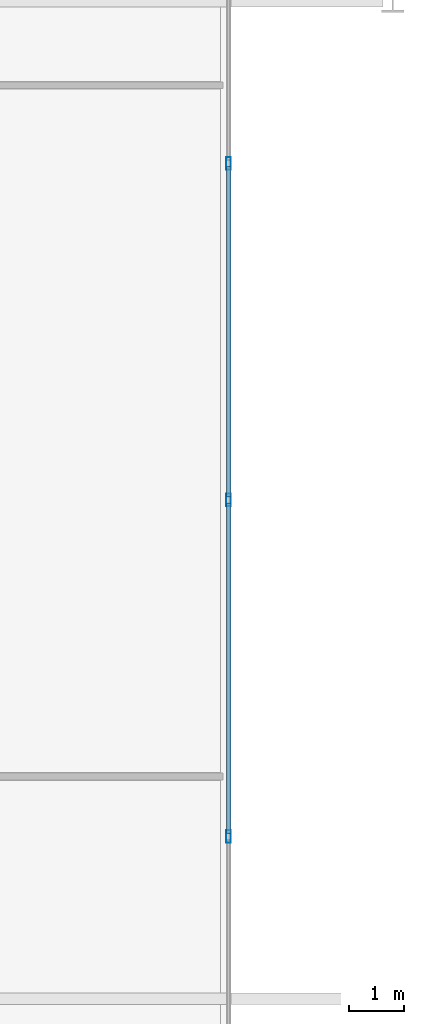
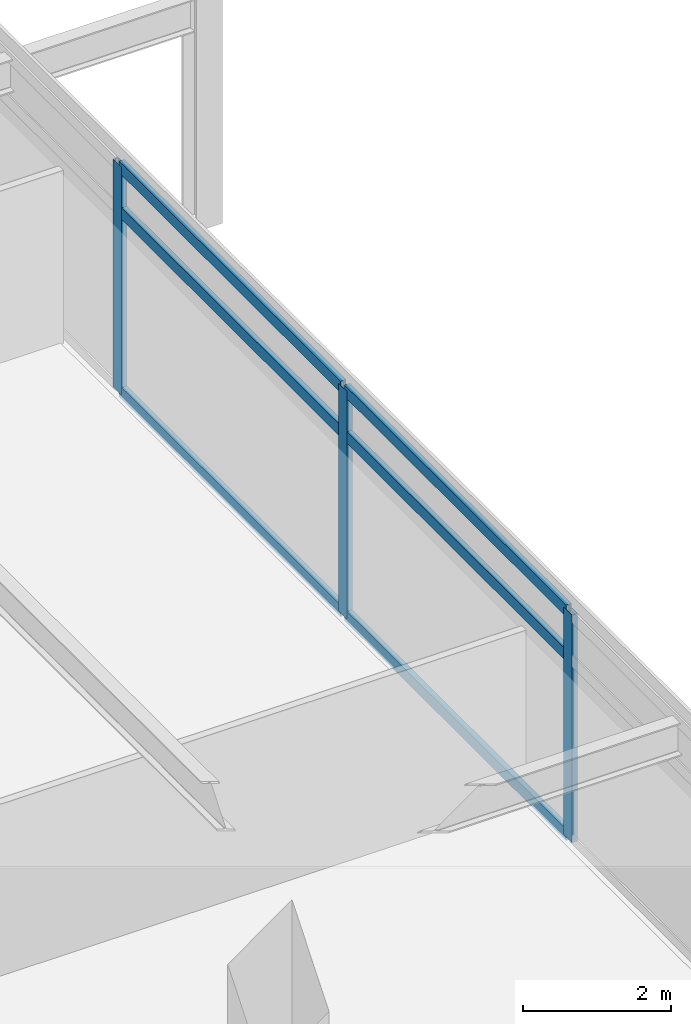
# One storey, part 4 of 21: 9 members, 1 element without a shape of its own.
"""IFC4 building model written with IfcOpenShell, lengths in metres."""

from ifc_helpers import new_model, si_unit, direction, frame, origin, origin_2d, place, context, subcontext, project, spatial, hollow_rectangle, extrude, material, material_profile, profile_set, type_object, element, aggregate, save


model = new_model("IFC4")

# Units and contexts
model_context = context("Model", 3, precision=1e-05, world=origin(), true_north=direction((0.0, 1.0)))
body_context = subcontext(model_context, "Body", "Model", "MODEL_VIEW")
ifc_project = project(units=[si_unit("LENGTHUNIT", "METRE"), si_unit("AREAUNIT", "SQUARE_METRE"), si_unit("VOLUMEUNIT", "CUBIC_METRE"), si_unit("PLANEANGLEUNIT", "RADIAN"), si_unit("MASSUNIT", "GRAM", prefix="KILO")], contexts=[model_context])

# Site, building, storey
site_placement = place(None, origin())
site = spatial("IfcSite", under=ifc_project, at=site_placement, CompositionType="ELEMENT")
building_placement = place(site_placement, origin())
building = spatial("IfcBuilding", under=site, at=building_placement, Name="Kovane Verandah Tower", CompositionType="ELEMENT")
storey_placement = place(building_placement, frame((0.0, 0.0, 314.800048828125)))
storey = spatial("IfcBuildingStorey", under=building, at=storey_placement, Name="L73", CompositionType="ELEMENT", Elevation=314.800048828125)

# Curtain wall, members
ifc_material_1 = material(Name="Champagne Anodised Aluminium Frame with Low-E Clear Laminated Glass", Category="aluminium")
curtain_wall_type = type_object("IfcCurtainWallType", Name="CW-SYS-05-HIGH", PredefinedType="NOTDEFINED", material=ifc_material_1)
curtain_wall_placement = place(storey_placement, origin())
curtain_wall = element("IfcCurtainWall", 1, at=curtain_wall_placement, inside=storey, type_object=curtain_wall_type, Name="L73 E Unitised Curtain Wall", PredefinedType="NOTDEFINED")
ifc_material_2 = material(Name="Champagne Anodised Aluminium 6063-T6", Category="aluminium")
ifc_material_profile_1 = material_profile(ifc_material_2, hollow_rectangle(XDim=0.0849609375, YDim=0.22998046875, WallThickness=0.00390625, at=origin_2d()), Name="AL85x230x4")
ifc_profile_set_1 = profile_set([ifc_material_profile_1], Name="Champagne Anodised Aluminium 6063-T6")
member_type_1 = type_object("IfcMemberType", Name="CW-MUL-85x230", PredefinedType="MULLION", material=ifc_profile_set_1)
member_1_placement = place(storey_placement, frame((64.636474609375, 21.42724609375, 0.02001953125), z_axis=(0.0, 0.0, 1.0), x_axis=(1.0, 0.0, 0.0)))
member_1 = element("IfcMember", 2, at=member_1_placement, type_object=member_type_1, Name="L73 E Unitised Curtain Wall Mullion 3", PredefinedType="MULLION", context=body_context, shape_type="SweptSolid", body=[
    extrude(hollow_rectangle(XDim=0.0849609375, YDim=0.22998046875, WallThickness=0.00390625, at=origin_2d()), origin(), (0.0, 0.0, 1.0), 3.744873046875),
])
member_2_placement = place(storey_placement, frame((64.636474609375, 27.5, 0.02001953125), z_axis=(0.0, 0.0, 1.0), x_axis=(1.0, 0.0, 0.0)))
member_2 = element("IfcMember", 3, at=member_2_placement, type_object=member_type_1, Name="L73 E Unitised Curtain Wall Mullion 4", PredefinedType="MULLION", context=body_context, shape_type="SweptSolid", body=[
    extrude(hollow_rectangle(XDim=0.0849609375, YDim=0.22998046875, WallThickness=0.00390625, at=origin_2d()), origin(), (0.0, 0.0, 1.0), 3.744873046875),
])
member_3_placement = place(storey_placement, frame((64.636474609375, 33.57275390625, 0.02001953125), z_axis=(0.0, 0.0, 1.0), x_axis=(1.0, 0.0, 0.0)))
member_3 = element("IfcMember", 4, at=member_3_placement, type_object=member_type_1, Name="L73 E Unitised Curtain Wall Mullion 5", PredefinedType="MULLION", context=body_context, shape_type="SweptSolid", body=[
    extrude(hollow_rectangle(XDim=0.0849609375, YDim=0.22998046875, WallThickness=0.00390625, at=origin_2d()), origin(), (0.0, 0.0, 1.0), 3.744873046875),
])
ifc_material_profile_2 = material_profile(ifc_material_2, hollow_rectangle(XDim=0.0849609375, YDim=0.18994140625, WallThickness=0.00390625, at=origin_2d()), Name="AL85x190x4")
ifc_profile_set_2 = profile_set([ifc_material_profile_2], Name="Champagne Anodised Aluminium 6063-T6")
member_type_2 = type_object("IfcMemberType", Name="CW-TRN-85x190", PredefinedType="USERDEFINED", material=ifc_profile_set_2)
member_4_placement = place(storey_placement, frame((64.636474609375, 21.477294921875, 0.050048828125), z_axis=(0.0, 1.0, 0.0), x_axis=(-1.0, 0.0, 0.0)))
member_4 = element("IfcMember", 5, at=member_4_placement, type_object=member_type_2, Name="L73 E Unitised Curtain Wall Transom TB Bay 3", ObjectType="TRANSOM", PredefinedType="USERDEFINED", context=body_context, shape_type="SweptSolid", body=[
    extrude(hollow_rectangle(XDim=0.0849609375, YDim=0.18994140625, WallThickness=0.00390625, at=origin_2d()), origin(), (0.0, 0.0, 1.0), 5.97265625),
])
member_5_placement = place(storey_placement, frame((64.636474609375, 21.477294921875, 3.0048828125), z_axis=(0.0, 1.0, 0.0), x_axis=(-1.0, 0.0, 0.0)))
member_5 = element("IfcMember", 6, at=member_5_placement, type_object=member_type_2, Name="L73 E Unitised Curtain Wall Transom TM Bay 3", ObjectType="TRANSOM", PredefinedType="USERDEFINED", context=body_context, shape_type="SweptSolid", body=[
    extrude(hollow_rectangle(XDim=0.0849609375, YDim=0.18994140625, WallThickness=0.00390625, at=origin_2d()), origin(), (0.0, 0.0, 1.0), 5.97265625),
])
member_6_placement = place(storey_placement, frame((64.636474609375, 21.477294921875, 3.73486328125), z_axis=(0.0, 1.0, 0.0), x_axis=(-1.0, 0.0, 0.0)))
member_6 = element("IfcMember", 7, at=member_6_placement, type_object=member_type_2, Name="L73 E Unitised Curtain Wall Transom TT Bay 3", ObjectType="TRANSOM", PredefinedType="USERDEFINED", context=body_context, shape_type="SweptSolid", body=[
    extrude(hollow_rectangle(XDim=0.0849609375, YDim=0.18994140625, WallThickness=0.00390625, at=origin_2d()), origin(), (0.0, 0.0, 1.0), 5.97265625),
])
member_7_placement = place(storey_placement, frame((64.636474609375, 27.550048828125, 0.050048828125), z_axis=(0.0, 1.0, 0.0), x_axis=(-1.0, 0.0, 0.0)))
member_7 = element("IfcMember", 8, at=member_7_placement, type_object=member_type_2, Name="L73 E Unitised Curtain Wall Transom TB Bay 4", ObjectType="TRANSOM", PredefinedType="USERDEFINED", context=body_context, shape_type="SweptSolid", body=[
    extrude(hollow_rectangle(XDim=0.0849609375, YDim=0.18994140625, WallThickness=0.00390625, at=origin_2d()), origin(), (0.0, 0.0, 1.0), 5.97265625),
])
member_8_placement = place(storey_placement, frame((64.636474609375, 27.550048828125, 3.0048828125), z_axis=(0.0, 1.0, 0.0), x_axis=(-1.0, 0.0, 0.0)))
member_8 = element("IfcMember", 9, at=member_8_placement, type_object=member_type_2, Name="L73 E Unitised Curtain Wall Transom TM Bay 4", ObjectType="TRANSOM", PredefinedType="USERDEFINED", context=body_context, shape_type="SweptSolid", body=[
    extrude(hollow_rectangle(XDim=0.0849609375, YDim=0.18994140625, WallThickness=0.00390625, at=origin_2d()), origin(), (0.0, 0.0, 1.0), 5.97265625),
])
member_9_placement = place(storey_placement, frame((64.636474609375, 27.550048828125, 3.73486328125), z_axis=(0.0, 1.0, 0.0), x_axis=(-1.0, 0.0, 0.0)))
member_9 = element("IfcMember", 10, at=member_9_placement, type_object=member_type_2, Name="L73 E Unitised Curtain Wall Transom TT Bay 4", ObjectType="TRANSOM", PredefinedType="USERDEFINED", context=body_context, shape_type="SweptSolid", body=[
    extrude(hollow_rectangle(XDim=0.0849609375, YDim=0.18994140625, WallThickness=0.00390625, at=origin_2d()), origin(), (0.0, 0.0, 1.0), 5.97265625),
])
aggregate(curtain_wall, [member_1, member_2, member_3, member_4, member_5, member_6, member_7, member_8, member_9])

save(model, "model.ifc")
